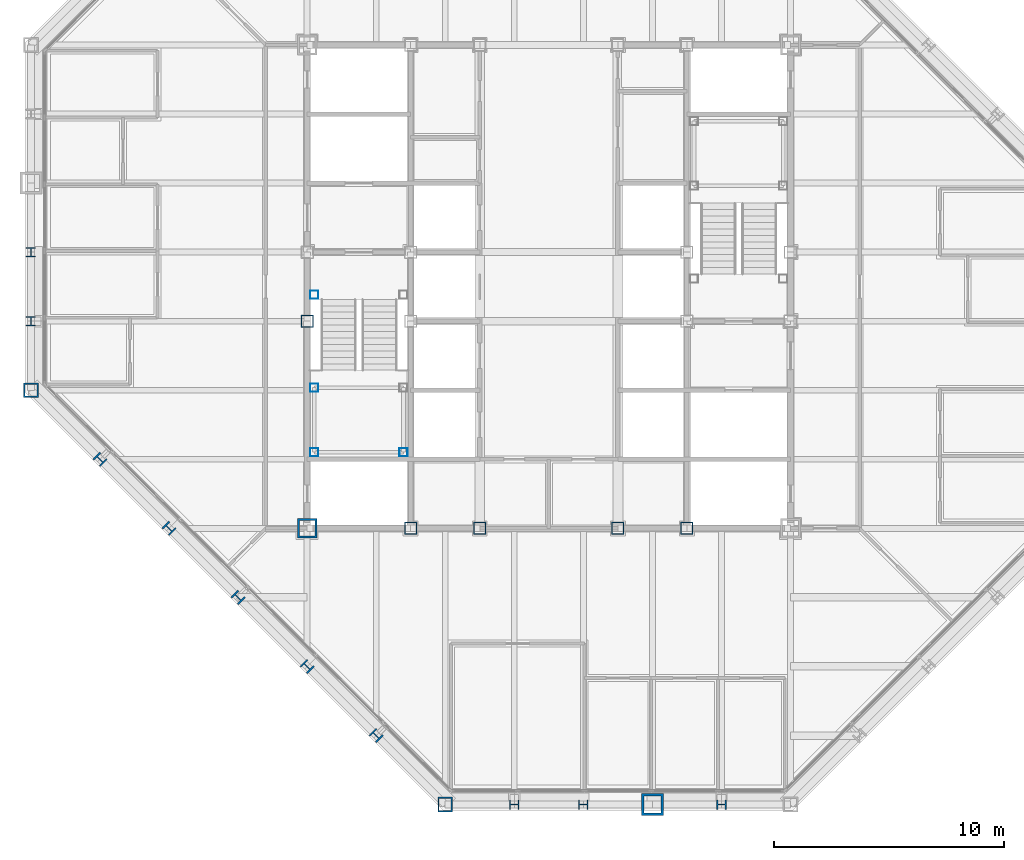
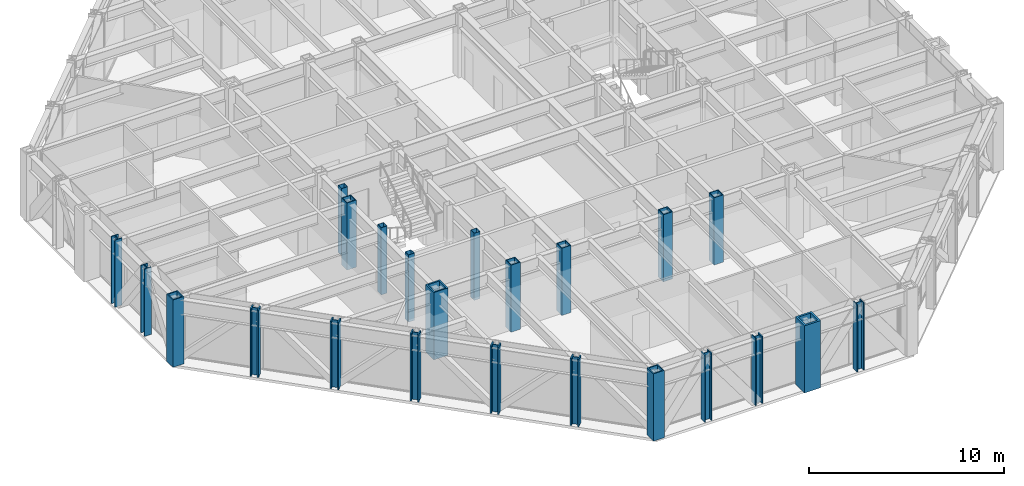
# One storey, part 1 of 16: 23 columns.
"""IFC4 building model written with IfcOpenShell, lengths in metres."""

from ifc_helpers import new_model, si_unit, direction, frame, origin, origin_2d, place, context, subcontext, project, spatial, hollow_rectangle, i_section, extrude, material, material_profile, profile_set, type_object, element, save


model = new_model("IFC4")

# Units and contexts
model_context = context("Model", 3, precision=1e-05, world=origin(), true_north=direction((0.0, 1.0)))
body_context = subcontext(model_context, "Body", "Model", "MODEL_VIEW")
ifc_project = project(units=[si_unit("LENGTHUNIT", "METRE"), si_unit("AREAUNIT", "SQUARE_METRE"), si_unit("VOLUMEUNIT", "CUBIC_METRE"), si_unit("PLANEANGLEUNIT", "RADIAN"), si_unit("MASSUNIT", "GRAM", prefix="KILO")], contexts=[model_context])

# Site, building, storey
site_placement = place(None, origin())
site = spatial("IfcSite", under=ifc_project, at=site_placement, CompositionType="ELEMENT")
building_placement = place(site_placement, origin())
building = spatial("IfcBuilding", under=site, at=building_placement, Name="Chuquiago Exchange Tower", CompositionType="ELEMENT")
storey_placement = place(building_placement, frame((0.0, 0.0, 222.300048828125)))
storey = spatial("IfcBuildingStorey", under=building, at=storey_placement, Name="L49", CompositionType="ELEMENT", Elevation=222.300048828125)

# Columns
ifc_material_1 = material(Name="Steel ASTM A992", Category="steel")
ifc_material_profile_1 = material_profile(ifc_material_1, i_section(OverallWidth=0.408935546875, OverallDepth=0.424072265625, WebThickness=0.03271484375, FlangeThickness=0.052490234375, at=origin_2d()), Name="W14X283")
ifc_profile_set_1 = profile_set([ifc_material_profile_1], Name="Steel ASTM A992")
column_type_1 = type_object("IfcColumnType", Name="C8 W14X283", PredefinedType="COLUMN", material=ifc_profile_set_1)
for number, where, z_axis, x_axis, name in (
    (1, (21.0, 0.0, 0.0), (0.0, 0.0, 1.0), (0.0, -1.0, 0.0), "COL-L49-21_0"),
    (2, (24.0, 0.0, 0.0), (0.0, 0.0, 1.0), (0.0, -1.0, 0.0), "COL-L49-24_0"),
    (3, (30.0, 0.0, 0.0), (0.0, 0.0, 1.0), (0.0, -1.0, 0.0), "COL-L49-30_0"),
    (4, (0.0, 24.0, 0.0), (0.0, 0.0, 1.0), (-1.0, 0.0, 0.0), "COL-L49-0_24"),
    (5, (0.0, 21.0, 0.0), (0.0, 0.0, 1.0), (-1.0, 0.0, 0.0), "COL-L49-0_21"),
):
    element("IfcColumn", number, at=place(storey_placement, frame(where, z_axis=z_axis, x_axis=x_axis)), inside=storey, type_object=column_type_1, Name=name, PredefinedType="COLUMN", context=body_context, shape_type="SweptSolid", body=[
        extrude(i_section(OverallWidth=0.408935546875, OverallDepth=0.424072265625, WebThickness=0.03271484375, FlangeThickness=0.052490234375, at=origin_2d()), origin(), (0.0, 0.0, 1.0), 4.199951171875),
    ])
ifc_material_2 = material(Name="Steel ASTM A572 Grade 50", Category="steel")
ifc_material_profile_2 = material_profile(ifc_material_2, hollow_rectangle(XDim=0.85009765625, YDim=0.85009765625, WallThickness=0.0849609375, at=origin_2d()), Name="BOX850X850X85")
ifc_profile_set_2 = profile_set([ifc_material_profile_2], Name="Steel ASTM A572 Grade 50")
column_type_2 = type_object("IfcColumnType", Name="CC6 BOX850X850X85", PredefinedType="COLUMN", material=ifc_profile_set_2)
column_1_placement = place(storey_placement, frame((12.0, 12.0, 0.0), z_axis=(0.0, 0.0, 1.0), x_axis=(1.0, 0.0, 0.0)))
element("IfcColumn", 6, at=column_1_placement, inside=storey, type_object=column_type_2, Name="CCOL-L49-12_12", PredefinedType="COLUMN", context=body_context, shape_type="SweptSolid", body=[
    extrude(hollow_rectangle(XDim=0.85009765625, YDim=0.85009765625, WallThickness=0.0849609375, at=origin_2d()), origin(), (0.0, 0.0, 1.0), 4.199951171875),
])
ifc_material_3 = material(Name="Steel ASTM A572 Grade 50", Category="steel")
ifc_material_profile_3 = material_profile(ifc_material_3, hollow_rectangle(XDim=0.550048828125, YDim=0.550048828125, WallThickness=0.044921875, at=origin_2d()), Name="BOX550X550X45")
ifc_profile_set_3 = profile_set([ifc_material_profile_3], Name="Steel ASTM A572 Grade 50")
column_type_3 = type_object("IfcColumnType", Name="CC8 BOX550X550X45", PredefinedType="COLUMN", material=ifc_profile_set_3)
for number, where, z_axis, x_axis, name in (
    (7, (16.5, 12.0, 0.0), (0.0, 0.0, 1.0), (1.0, 0.0, 0.0), "CCOL-L49-16.5_12"),
    (8, (19.5, 12.0, 0.0), (0.0, 0.0, 1.0), (1.0, 0.0, 0.0), "CCOL-L49-19.5_12"),
    (9, (25.5, 12.0, 0.0), (0.0, 0.0, 1.0), (1.0, 0.0, 0.0), "CCOL-L49-25.5_12"),
    (10, (28.5, 12.0, 0.0), (0.0, 0.0, 1.0), (1.0, 0.0, 0.0), "CCOL-L49-28.5_12"),
    (11, (12.0, 21.0, 0.0), (0.0, 0.0, 1.0), (1.0, 0.0, 0.0), "CCOL-L49-12_21"),
):
    element("IfcColumn", number, at=place(storey_placement, frame(where, z_axis=z_axis, x_axis=x_axis)), inside=storey, type_object=column_type_3, Name=name, PredefinedType="COLUMN", context=body_context, shape_type="SweptSolid", body=[
        extrude(hollow_rectangle(XDim=0.550048828125, YDim=0.550048828125, WallThickness=0.044921875, at=origin_2d()), origin(), (0.0, 0.0, 1.0), 4.199951171875),
    ])
ifc_material_4 = material(Name="Steel ASTM A992", Category="steel")
ifc_material_profile_4 = material_profile(ifc_material_4, i_section(OverallWidth=0.421630859375, OverallDepth=0.46484375, WebThickness=0.044921875, FlangeThickness=0.072509765625, at=origin_2d()), Name="W14X398")
ifc_profile_set_4 = profile_set([ifc_material_profile_4], Name="Steel ASTM A992")
column_type_4 = type_object("IfcColumnType", Name="CK7 W14X398", PredefinedType="COLUMN", material=ifc_profile_set_4)
for number, where, z_axis, x_axis, name in (
    (12, (3.0, 15.0, 0.0), (0.0, 0.0, 1.0), (-0.707106781187, -0.707106781187, 0.0), "COL-L49-3_15"),
    (13, (6.0, 12.0, 0.0), (0.0, 0.0, 1.0), (-0.707106781187, -0.707106781187, 0.0), "COL-L49-6_12"),
    (14, (9.0, 9.0, 0.0), (0.0, 0.0, 1.0), (-0.707106781187, -0.707106781187, 0.0), "COL-L49-9_9"),
    (15, (12.0, 6.0, 0.0), (0.0, 0.0, 1.0), (-0.707106781187, -0.707106781187, 0.0), "COL-L49-12_6"),
    (16, (15.0, 3.0, 0.0), (0.0, 0.0, 1.0), (-0.707106781187, -0.707106781187, 0.0), "COL-L49-15_3"),
):
    element("IfcColumn", number, at=place(storey_placement, frame(where, z_axis=z_axis, x_axis=x_axis)), inside=storey, type_object=column_type_4, Name=name, PredefinedType="COLUMN", context=body_context, shape_type="SweptSolid", body=[
        extrude(i_section(OverallWidth=0.421630859375, OverallDepth=0.46484375, WebThickness=0.044921875, FlangeThickness=0.072509765625, at=origin_2d()), origin(), (0.0, 0.0, 1.0), 4.199951171875),
    ])
ifc_material_5 = material(Name="Steel ASTM A572 Grade 50", Category="steel")
ifc_material_profile_5 = material_profile(ifc_material_5, hollow_rectangle(XDim=0.64990234375, YDim=0.64990234375, WallThickness=0.06494140625, at=origin_2d()), Name="BOX650X650X65")
ifc_profile_set_5 = profile_set([ifc_material_profile_5], Name="Steel ASTM A572 Grade 50")
column_type_5 = type_object("IfcColumnType", Name="CN2 BOX650X650X65", PredefinedType="COLUMN", material=ifc_profile_set_5)
for number, where, z_axis, x_axis, name in (
    (17, (18.0, 0.0, 0.0), (0.0, 0.0, 1.0), (0.0, -1.0, 0.0), "COL-L49-18_0"),
    (18, (0.0, 18.0, 0.0), (0.0, 0.0, 1.0), (-1.0, 0.0, 0.0), "COL-L49-0_18"),
):
    element("IfcColumn", number, at=place(storey_placement, frame(where, z_axis=z_axis, x_axis=x_axis)), inside=storey, type_object=column_type_5, Name=name, PredefinedType="COLUMN", context=body_context, shape_type="SweptSolid", body=[
        extrude(hollow_rectangle(XDim=0.64990234375, YDim=0.64990234375, WallThickness=0.06494140625, at=origin_2d()), origin(), (0.0, 0.0, 1.0), 4.199951171875),
    ])
ifc_material_6 = material(Name="Steel ASTM A572 Grade 42", Category="steel")
ifc_material_profile_6 = material_profile(ifc_material_6, hollow_rectangle(XDim=0.949951171875, YDim=0.949951171875, WallThickness=0.110107421875, at=origin_2d()), Name="BOX950X950X110")
ifc_profile_set_6 = profile_set([ifc_material_profile_6], Name="Steel ASTM A572 Grade 42")
column_type_6 = type_object("IfcColumnType", Name="CT1 BOX950X950X110", PredefinedType="COLUMN", material=ifc_profile_set_6)
column_2_placement = place(storey_placement, frame((27.0, 0.0, 0.0), z_axis=(0.0, 0.0, 1.0), x_axis=(0.0, -1.0, 0.0)))
element("IfcColumn", 19, at=column_2_placement, inside=storey, type_object=column_type_6, Name="COL-L49-27_0", PredefinedType="COLUMN", context=body_context, shape_type="SweptSolid", body=[
    extrude(hollow_rectangle(XDim=0.949951171875, YDim=0.949951171875, WallThickness=0.110107421875, at=origin_2d()), origin(), (0.0, 0.0, 1.0), 4.199951171875),
])
ifc_material_7 = material(Name="Steel ASTM A500 Grade C", Category="steel")
ifc_material_profile_7 = material_profile(ifc_material_7, hollow_rectangle(XDim=0.355712890625, YDim=0.355712890625, WallThickness=0.0087890625, at=origin_2d()), Name="HSS14X14X3/8")
ifc_profile_set_7 = profile_set([ifc_material_profile_7], Name="Steel ASTM A500 Grade C")
column_type_7 = type_object("IfcColumnType", Name="PT1 HSS14X14X3/8", PredefinedType="COLUMN", material=ifc_profile_set_7)
for number, where, z_axis, x_axis, name in (
    (20, (12.31005859375, 15.31005859375, 0.0), (0.0, 0.0, 1.0), (1.0, 0.0, 0.0), "Stair ST1 L49 landing post"),
    (21, (16.18994140625, 15.31005859375, 0.0), (0.0, 0.0, 1.0), (1.0, 0.0, 0.0), "Stair ST1 L49 landing post"),
    (22, (12.31005859375, 18.110107421875, 0.0), (0.0, 0.0, 1.0), (1.0, 0.0, 0.0), "Stair ST1 L49 landing post"),
    (23, (12.31005859375, 22.14990234375, 0.0), (0.0, 0.0, 1.0), (1.0, 0.0, 0.0), "Stair ST1 L49 landing post"),
):
    element("IfcColumn", number, at=place(storey_placement, frame(where, z_axis=z_axis, x_axis=x_axis)), inside=storey, type_object=column_type_7, Name=name, PredefinedType="COLUMN", context=body_context, shape_type="SweptSolid", body=[
        extrude(hollow_rectangle(XDim=0.355712890625, YDim=0.355712890625, WallThickness=0.0087890625, at=origin_2d()), origin(), (0.0, 0.0, 1.0), 4.199951171875),
    ])

save(model, "model.ifc")
